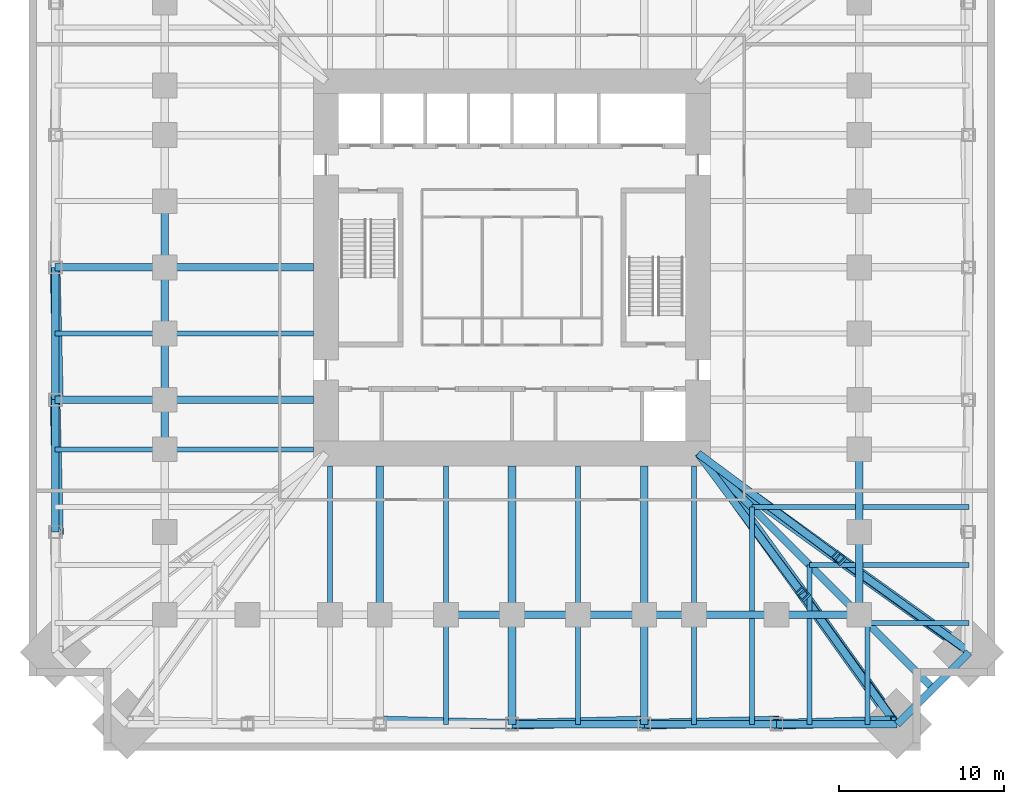
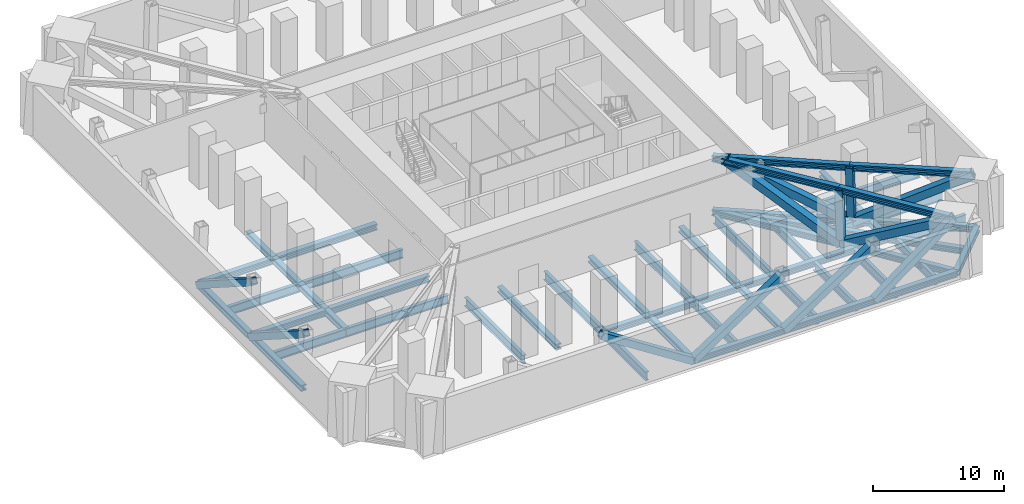
# One storey, part 2 of 9: 45 beams, 25 members.
"""IFC4 building model written with IfcOpenShell, lengths in metres."""

from ifc_helpers import new_model, si_unit, direction, frame, origin, origin_2d, place, context, subcontext, project, spatial, hollow_rectangle, i_section, extrude, material, material_profile, profile_set, type_object, element, save


model = new_model("IFC4")

# Units and contexts
model_context = context("Model", 3, precision=1e-05, world=origin(), true_north=direction((0.0, 1.0)))
body_context = subcontext(model_context, "Body", "Model", "MODEL_VIEW")
ifc_project = project(units=[si_unit("LENGTHUNIT", "METRE"), si_unit("AREAUNIT", "SQUARE_METRE"), si_unit("VOLUMEUNIT", "CUBIC_METRE"), si_unit("PLANEANGLEUNIT", "RADIAN"), si_unit("MASSUNIT", "GRAM", prefix="KILO")], contexts=[model_context])

# Site, building, storey
site_placement = place(None, origin())
site = spatial("IfcSite", under=ifc_project, at=site_placement, CompositionType="ELEMENT")
building_placement = place(site_placement, origin())
building = spatial("IfcBuilding", under=site, at=building_placement, Name="Peilmerk Tower", CompositionType="ELEMENT")
storey_placement = place(building_placement, frame((0.0, 0.0, 81.0)))
storey = spatial("IfcBuildingStorey", under=building, at=storey_placement, Name="L15", CompositionType="ELEMENT", Elevation=81.0)

# Beams
ifc_material = material(Name="Steel S460", Category="steel")
ifc_material_profile_1 = material_profile(ifc_material, i_section(OverallWidth=0.4541015625, OverallDepth=0.569091796875, WebThickness=0.077880859375, FlangeThickness=0.125, at=origin_2d()), Name="HD 400x1086")
ifc_profile_set_1 = profile_set([ifc_material_profile_1], Name="Steel S460")
beam_type_1 = type_object("IfcBeamType", Name="B17 HD 400x1086 edge beam", PredefinedType="SPANDREL", material=ifc_profile_set_1)
beam_1_placement = place(storey_placement, frame((27.630615234375, -23.28076171875, -0.534423828125), z_axis=(-0.707106781187, -0.707106781187, 0.0), x_axis=(0.707106781187, -0.707106781187, 0.0)))
element("IfcBeam", 1, at=beam_1_placement, inside=storey, type_object=beam_type_1, Name="Notch beam L15", PredefinedType="SPANDREL", context=body_context, shape_type="SweptSolid", body=[
    extrude(i_section(OverallWidth=0.4541015625, OverallDepth=0.569091796875, WebThickness=0.077880859375, FlangeThickness=0.125, at=origin_2d()), origin(), (0.0, 0.0, 1.0), 6.151611328125),
])
ifc_material_profile_2 = material_profile(ifc_material, i_section(OverallWidth=0.302978515625, OverallDepth=0.81396484375, WebThickness=0.02099609375, FlangeThickness=0.0400390625, at=origin_2d()), Name="HEM 800")
ifc_profile_set_2 = profile_set([ifc_material_profile_2], Name="Steel S460")
beam_type_2 = type_object("IfcBeamType", Name="B26 HEM 800 floor beam", PredefinedType="BEAM", material=ifc_profile_set_2)
for number, where, z_axis, x_axis, name in (
    (2, (-11.0, -12.0, -0.656982421875), (0.0, -1.0, 0.0), (1.0, 0.0, 0.0), "Floor beam L15"),
    (3, (-4.0, -12.0, -0.656982421875), (0.0, -1.0, 0.0), (1.0, 0.0, 0.0), "Floor beam L15"),
):
    element("IfcBeam", number, at=place(storey_placement, frame(where, z_axis=z_axis, x_axis=x_axis)), inside=storey, type_object=beam_type_2, Name=name, PredefinedType="BEAM", context=body_context, shape_type="SweptSolid", body=[
        extrude(i_section(OverallWidth=0.302978515625, OverallDepth=0.81396484375, WebThickness=0.02099609375, FlangeThickness=0.0400390625, at=origin_2d()), origin(), (0.0, 0.0, 1.0), 9.0),
    ])
beam_2_placement = place(storey_placement, frame((-4.0, -21.0, -0.656982421875), z_axis=(0.0, -1.0, 0.0), x_axis=(1.0, 0.0, 0.0)))
element("IfcBeam", 4, at=beam_2_placement, inside=storey, type_object=beam_type_2, Name="Floor beam L15", PredefinedType="BEAM", context=body_context, shape_type="SweptSolid", body=[
    extrude(i_section(OverallWidth=0.302978515625, OverallDepth=0.81396484375, WebThickness=0.02099609375, FlangeThickness=0.0400390625, at=origin_2d()), origin(), (0.0, 0.0, 1.0), 6.630615234375),
])
beam_3_placement = place(storey_placement, frame((4.0, -12.0, -0.656982421875), z_axis=(0.0, -1.0, 0.0), x_axis=(1.0, 0.0, 0.0)))
element("IfcBeam", 5, at=beam_3_placement, inside=storey, type_object=beam_type_2, Name="Floor beam L15", PredefinedType="BEAM", context=body_context, shape_type="SweptSolid", body=[
    extrude(i_section(OverallWidth=0.302978515625, OverallDepth=0.81396484375, WebThickness=0.02099609375, FlangeThickness=0.0400390625, at=origin_2d()), origin(), (0.0, 0.0, 1.0), 9.0),
])
beam_4_placement = place(storey_placement, frame((4.0, -21.0, -0.656982421875), z_axis=(0.0, -1.0, 0.0), x_axis=(1.0, 0.0, 0.0)))
element("IfcBeam", 6, at=beam_4_placement, inside=storey, type_object=beam_type_2, Name="Floor beam L15", PredefinedType="BEAM", context=body_context, shape_type="SweptSolid", body=[
    extrude(i_section(OverallWidth=0.302978515625, OverallDepth=0.81396484375, WebThickness=0.02099609375, FlangeThickness=0.0400390625, at=origin_2d()), origin(), (0.0, 0.0, 1.0), 6.630615234375),
])
beam_5_placement = place(storey_placement, frame((11.0, -12.0, -0.656982421875), z_axis=(0.0, -1.0, 0.0), x_axis=(1.0, 0.0, 0.0)))
element("IfcBeam", 7, at=beam_5_placement, inside=storey, type_object=beam_type_2, Name="Floor beam L15", PredefinedType="BEAM", context=body_context, shape_type="SweptSolid", body=[
    extrude(i_section(OverallWidth=0.302978515625, OverallDepth=0.81396484375, WebThickness=0.02099609375, FlangeThickness=0.0400390625, at=origin_2d()), origin(), (0.0, 0.0, 1.0), 9.0),
])
beam_6_placement = place(storey_placement, frame((11.0, -21.0, -0.656982421875), z_axis=(0.0, -1.0, 0.0), x_axis=(1.0, 0.0, 0.0)))
element("IfcBeam", 8, at=beam_6_placement, inside=storey, type_object=beam_type_2, Name="Floor beam L15", PredefinedType="BEAM", context=body_context, shape_type="SweptSolid", body=[
    extrude(i_section(OverallWidth=0.302978515625, OverallDepth=0.81396484375, WebThickness=0.02099609375, FlangeThickness=0.0400390625, at=origin_2d()), origin(), (0.0, 0.0, 1.0), 6.630615234375),
])
beam_7_placement = place(storey_placement, frame((-12.0, -4.0, -0.656982421875), z_axis=(-1.0, 0.0, 0.0), x_axis=(0.0, -1.0, 0.0)))
element("IfcBeam", 9, at=beam_7_placement, inside=storey, type_object=beam_type_2, Name="Floor beam L15", PredefinedType="BEAM", context=body_context, shape_type="SweptSolid", body=[
    extrude(i_section(OverallWidth=0.302978515625, OverallDepth=0.81396484375, WebThickness=0.02099609375, FlangeThickness=0.0400390625, at=origin_2d()), origin(), (0.0, 0.0, 1.0), 9.0),
])
beam_8_placement = place(storey_placement, frame((-21.0, -4.0, -0.656982421875), z_axis=(-1.0, 0.0, 0.0), x_axis=(0.0, -1.0, 0.0)))
element("IfcBeam", 10, at=beam_8_placement, inside=storey, type_object=beam_type_2, Name="Floor beam L15", PredefinedType="BEAM", context=body_context, shape_type="SweptSolid", body=[
    extrude(i_section(OverallWidth=0.302978515625, OverallDepth=0.81396484375, WebThickness=0.02099609375, FlangeThickness=0.0400390625, at=origin_2d()), origin(), (0.0, 0.0, 1.0), 6.630615234375),
])
beam_9_placement = place(storey_placement, frame((-12.0, -11.0, -0.656982421875), z_axis=(-1.0, 0.0, 0.0), x_axis=(0.0, -1.0, 0.0)))
element("IfcBeam", 11, at=beam_9_placement, inside=storey, type_object=beam_type_2, Name="Floor beam L15", PredefinedType="BEAM", context=body_context, shape_type="SweptSolid", body=[
    extrude(i_section(OverallWidth=0.302978515625, OverallDepth=0.81396484375, WebThickness=0.02099609375, FlangeThickness=0.0400390625, at=origin_2d()), origin(), (0.0, 0.0, 1.0), 9.0),
])
beam_10_placement = place(storey_placement, frame((-21.0, -11.0, -0.656982421875), z_axis=(-1.0, 0.0, 0.0), x_axis=(0.0, -1.0, 0.0)))
element("IfcBeam", 12, at=beam_10_placement, inside=storey, type_object=beam_type_2, Name="Floor beam L15", PredefinedType="BEAM", context=body_context, shape_type="SweptSolid", body=[
    extrude(i_section(OverallWidth=0.302978515625, OverallDepth=0.81396484375, WebThickness=0.02099609375, FlangeThickness=0.0400390625, at=origin_2d()), origin(), (0.0, 0.0, 1.0), 6.630615234375),
])
beam_11_placement = place(storey_placement, frame((14.5, -14.5, -0.656982421875), z_axis=(0.0, -1.0, 0.0), x_axis=(1.0, 0.0, 0.0)))
element("IfcBeam", 13, at=beam_11_placement, inside=storey, type_object=beam_type_2, Name="Floor beam L15", PredefinedType="BEAM", context=body_context, shape_type="SweptSolid", body=[
    extrude(i_section(OverallWidth=0.302978515625, OverallDepth=0.81396484375, WebThickness=0.02099609375, FlangeThickness=0.0400390625, at=origin_2d()), origin(), (0.0, 0.0, 1.0), 6.27294921875),
])
beam_12_placement = place(storey_placement, frame((14.5, -21.22705078125, -0.656982421875), z_axis=(0.0, -1.0, 0.0), x_axis=(1.0, 0.0, 0.0)))
element("IfcBeam", 14, at=beam_12_placement, inside=storey, type_object=beam_type_2, Name="Floor beam L15", PredefinedType="BEAM", context=body_context, shape_type="SweptSolid", body=[
    extrude(i_section(OverallWidth=0.302978515625, OverallDepth=0.81396484375, WebThickness=0.02099609375, FlangeThickness=0.0400390625, at=origin_2d()), origin(), (0.0, 0.0, 1.0), 6.403564453125),
])
beam_13_placement = place(storey_placement, frame((14.5, -14.5, -0.656982421875), z_axis=(1.0, 0.0, 0.0), x_axis=(0.0, 1.0, 0.0)))
element("IfcBeam", 15, at=beam_13_placement, inside=storey, type_object=beam_type_2, Name="Floor beam L15", PredefinedType="BEAM", context=body_context, shape_type="SweptSolid", body=[
    extrude(i_section(OverallWidth=0.302978515625, OverallDepth=0.81396484375, WebThickness=0.02099609375, FlangeThickness=0.0400390625, at=origin_2d()), origin(), (0.0, 0.0, 1.0), 6.27294921875),
])
beam_14_placement = place(storey_placement, frame((21.22705078125, -14.5, -0.656982421875), z_axis=(1.0, 0.0, 0.0), x_axis=(0.0, 1.0, 0.0)))
element("IfcBeam", 16, at=beam_14_placement, inside=storey, type_object=beam_type_2, Name="Floor beam L15", PredefinedType="BEAM", context=body_context, shape_type="SweptSolid", body=[
    extrude(i_section(OverallWidth=0.302978515625, OverallDepth=0.81396484375, WebThickness=0.02099609375, FlangeThickness=0.0400390625, at=origin_2d()), origin(), (0.0, 0.0, 1.0), 6.403564453125),
])
beam_15_placement = place(storey_placement, frame((18.0, -18.0, -0.656982421875), z_axis=(0.0, -1.0, 0.0), x_axis=(1.0, 0.0, 0.0)))
element("IfcBeam", 17, at=beam_15_placement, inside=storey, type_object=beam_type_2, Name="Floor beam L15", PredefinedType="BEAM", context=body_context, shape_type="SweptSolid", body=[
    extrude(i_section(OverallWidth=0.302978515625, OverallDepth=0.81396484375, WebThickness=0.02099609375, FlangeThickness=0.0400390625, at=origin_2d()), origin(), (0.0, 0.0, 1.0), 2.77294921875),
])
beam_16_placement = place(storey_placement, frame((18.0, -21.22705078125, -0.656982421875), z_axis=(0.0, -1.0, 0.0), x_axis=(1.0, 0.0, 0.0)))
element("IfcBeam", 18, at=beam_16_placement, inside=storey, type_object=beam_type_2, Name="Floor beam L15", PredefinedType="BEAM", context=body_context, shape_type="SweptSolid", body=[
    extrude(i_section(OverallWidth=0.302978515625, OverallDepth=0.81396484375, WebThickness=0.02099609375, FlangeThickness=0.0400390625, at=origin_2d()), origin(), (0.0, 0.0, 1.0), 6.403564453125),
])
beam_17_placement = place(storey_placement, frame((18.0, -18.0, -0.656982421875), z_axis=(1.0, 0.0, 0.0), x_axis=(0.0, 1.0, 0.0)))
element("IfcBeam", 19, at=beam_17_placement, inside=storey, type_object=beam_type_2, Name="Floor beam L15", PredefinedType="BEAM", context=body_context, shape_type="SweptSolid", body=[
    extrude(i_section(OverallWidth=0.302978515625, OverallDepth=0.81396484375, WebThickness=0.02099609375, FlangeThickness=0.0400390625, at=origin_2d()), origin(), (0.0, 0.0, 1.0), 2.77294921875),
])
beam_18_placement = place(storey_placement, frame((21.22705078125, -18.0, -0.656982421875), z_axis=(1.0, 0.0, 0.0), x_axis=(0.0, 1.0, 0.0)))
element("IfcBeam", 20, at=beam_18_placement, inside=storey, type_object=beam_type_2, Name="Floor beam L15", PredefinedType="BEAM", context=body_context, shape_type="SweptSolid", body=[
    extrude(i_section(OverallWidth=0.302978515625, OverallDepth=0.81396484375, WebThickness=0.02099609375, FlangeThickness=0.0400390625, at=origin_2d()), origin(), (0.0, 0.0, 1.0), 6.403564453125),
])
for number, where, z_axis, x_axis, name in (
    (21, (21.5, -21.5, -0.656982421875), (0.0, -1.0, 0.0), (1.0, 0.0, 0.0), "Floor beam L15"),
    (22, (21.5, -21.5, -0.656982421875), (1.0, 0.0, 0.0), (0.0, 1.0, 0.0), "Floor beam L15"),
):
    element("IfcBeam", number, at=place(storey_placement, frame(where, z_axis=z_axis, x_axis=x_axis)), inside=storey, type_object=beam_type_2, Name=name, PredefinedType="BEAM", context=body_context, shape_type="SweptSolid", body=[
        extrude(i_section(OverallWidth=0.302978515625, OverallDepth=0.81396484375, WebThickness=0.02099609375, FlangeThickness=0.0400390625, at=origin_2d()), origin(), (0.0, 0.0, 1.0), 6.130615234375),
    ])
ifc_material_profile_3 = material_profile(ifc_material, i_section(OverallWidth=0.4541015625, OverallDepth=0.569091796875, WebThickness=0.077880859375, FlangeThickness=0.125, at=origin_2d()), Name="HD 400x1086")
ifc_profile_set_3 = profile_set([ifc_material_profile_3], Name="Steel S460")
beam_type_3 = type_object("IfcBeamType", Name="B9 HD 400x1086 corner girder", PredefinedType="BEAM", material=ifc_profile_set_3)
for number, where, z_axis, x_axis, name in (
    (23, (21.0, -21.0, -0.534423828125), (0.0, 1.0, 0.0), (-1.0, 0.0, 0.0), "Ring girder L15"),
    (24, (21.0, -16.0, -0.534423828125), (0.0, 1.0, 0.0), (-1.0, 0.0, 0.0), "Ring girder L15"),
):
    element("IfcBeam", number, at=place(storey_placement, frame(where, z_axis=z_axis, x_axis=x_axis)), inside=storey, type_object=beam_type_3, Name=name, PredefinedType="BEAM", context=body_context, shape_type="SweptSolid", body=[
        extrude(i_section(OverallWidth=0.4541015625, OverallDepth=0.569091796875, WebThickness=0.077880859375, FlangeThickness=0.125, at=origin_2d()), origin(), (0.0, 0.0, 1.0), 5.0),
    ])
for number, where, z_axis, x_axis, name in (
    (25, (-8.0, -12.0, -0.534423828125), (0.0, -1.0, 0.0), (1.0, 0.0, 0.0), "Floor girder L15"),
    (26, (0.0, -12.0, -0.534423828125), (0.0, -1.0, 0.0), (1.0, 0.0, 0.0), "Floor girder L15"),
):
    element("IfcBeam", number, at=place(storey_placement, frame(where, z_axis=z_axis, x_axis=x_axis)), inside=storey, type_object=beam_type_3, Name=name, PredefinedType="BEAM", context=body_context, shape_type="SweptSolid", body=[
        extrude(i_section(OverallWidth=0.4541015625, OverallDepth=0.569091796875, WebThickness=0.077880859375, FlangeThickness=0.125, at=origin_2d()), origin(), (0.0, 0.0, 1.0), 9.0),
    ])
beam_19_placement = place(storey_placement, frame((0.0, -21.0, -0.534423828125), z_axis=(0.0, -1.0, 0.0), x_axis=(1.0, 0.0, 0.0)))
element("IfcBeam", 27, at=beam_19_placement, inside=storey, type_object=beam_type_3, Name="Floor girder L15", PredefinedType="BEAM", context=body_context, shape_type="SweptSolid", body=[
    extrude(i_section(OverallWidth=0.4541015625, OverallDepth=0.569091796875, WebThickness=0.077880859375, FlangeThickness=0.125, at=origin_2d()), origin(), (0.0, 0.0, 1.0), 6.630615234375),
])
beam_20_placement = place(storey_placement, frame((8.0, -12.0, -0.534423828125), z_axis=(0.0, -1.0, 0.0), x_axis=(1.0, 0.0, 0.0)))
element("IfcBeam", 28, at=beam_20_placement, inside=storey, type_object=beam_type_3, Name="Floor girder L15", PredefinedType="BEAM", context=body_context, shape_type="SweptSolid", body=[
    extrude(i_section(OverallWidth=0.4541015625, OverallDepth=0.569091796875, WebThickness=0.077880859375, FlangeThickness=0.125, at=origin_2d()), origin(), (0.0, 0.0, 1.0), 9.0),
])
beam_21_placement = place(storey_placement, frame((8.0, -21.0, -0.534423828125), z_axis=(0.0, -1.0, 0.0), x_axis=(1.0, 0.0, 0.0)))
element("IfcBeam", 29, at=beam_21_placement, inside=storey, type_object=beam_type_3, Name="Floor girder L15", PredefinedType="BEAM", context=body_context, shape_type="SweptSolid", body=[
    extrude(i_section(OverallWidth=0.4541015625, OverallDepth=0.569091796875, WebThickness=0.077880859375, FlangeThickness=0.125, at=origin_2d()), origin(), (0.0, 0.0, 1.0), 6.630615234375),
])
for number, where, z_axis, x_axis, name in (
    (30, (-4.0, -21.0, -0.534423828125), (1.0, 0.0, 0.0), (0.0, 1.0, 0.0), "Ring girder L15"),
    (31, (0.0, -21.0, -0.534423828125), (1.0, 0.0, 0.0), (0.0, 1.0, 0.0), "Ring girder L15"),
    (32, (4.0, -21.0, -0.534423828125), (1.0, 0.0, 0.0), (0.0, 1.0, 0.0), "Ring girder L15"),
):
    element("IfcBeam", number, at=place(storey_placement, frame(where, z_axis=z_axis, x_axis=x_axis)), inside=storey, type_object=beam_type_3, Name=name, PredefinedType="BEAM", context=body_context, shape_type="SweptSolid", body=[
        extrude(i_section(OverallWidth=0.4541015625, OverallDepth=0.569091796875, WebThickness=0.077880859375, FlangeThickness=0.125, at=origin_2d()), origin(), (0.0, 0.0, 1.0), 4.0),
    ])
beam_22_placement = place(storey_placement, frame((8.0, -21.0, -0.534423828125), z_axis=(1.0, 0.0, 0.0), x_axis=(0.0, 1.0, 0.0)))
element("IfcBeam", 33, at=beam_22_placement, inside=storey, type_object=beam_type_3, Name="Ring girder L15", PredefinedType="BEAM", context=body_context, shape_type="SweptSolid", body=[
    extrude(i_section(OverallWidth=0.4541015625, OverallDepth=0.569091796875, WebThickness=0.077880859375, FlangeThickness=0.125, at=origin_2d()), origin(), (0.0, 0.0, 1.0), 3.0),
])
for number, where, z_axis, x_axis, name in (
    (34, (11.0, -21.0, -0.534423828125), (1.0, 0.0, 0.0), (0.0, 1.0, 0.0), "Ring girder L15"),
    (35, (16.0, -21.0, -0.534423828125), (1.0, 0.0, 0.0), (0.0, 1.0, 0.0), "Ring girder L15"),
):
    element("IfcBeam", number, at=place(storey_placement, frame(where, z_axis=z_axis, x_axis=x_axis)), inside=storey, type_object=beam_type_3, Name=name, PredefinedType="BEAM", context=body_context, shape_type="SweptSolid", body=[
        extrude(i_section(OverallWidth=0.4541015625, OverallDepth=0.569091796875, WebThickness=0.077880859375, FlangeThickness=0.125, at=origin_2d()), origin(), (0.0, 0.0, 1.0), 5.0),
    ])
beam_23_placement = place(storey_placement, frame((-12.0, 0.0, -0.534423828125), z_axis=(-1.0, 0.0, 0.0), x_axis=(0.0, -1.0, 0.0)))
element("IfcBeam", 36, at=beam_23_placement, inside=storey, type_object=beam_type_3, Name="Floor girder L15", PredefinedType="BEAM", context=body_context, shape_type="SweptSolid", body=[
    extrude(i_section(OverallWidth=0.4541015625, OverallDepth=0.569091796875, WebThickness=0.077880859375, FlangeThickness=0.125, at=origin_2d()), origin(), (0.0, 0.0, 1.0), 9.0),
])
beam_24_placement = place(storey_placement, frame((-21.0, 0.0, -0.534423828125), z_axis=(-1.0, 0.0, 0.0), x_axis=(0.0, -1.0, 0.0)))
element("IfcBeam", 37, at=beam_24_placement, inside=storey, type_object=beam_type_3, Name="Floor girder L15", PredefinedType="BEAM", context=body_context, shape_type="SweptSolid", body=[
    extrude(i_section(OverallWidth=0.4541015625, OverallDepth=0.569091796875, WebThickness=0.077880859375, FlangeThickness=0.125, at=origin_2d()), origin(), (0.0, 0.0, 1.0), 6.630615234375),
])
beam_25_placement = place(storey_placement, frame((-12.0, -8.0, -0.534423828125), z_axis=(-1.0, 0.0, 0.0), x_axis=(0.0, -1.0, 0.0)))
element("IfcBeam", 38, at=beam_25_placement, inside=storey, type_object=beam_type_3, Name="Floor girder L15", PredefinedType="BEAM", context=body_context, shape_type="SweptSolid", body=[
    extrude(i_section(OverallWidth=0.4541015625, OverallDepth=0.569091796875, WebThickness=0.077880859375, FlangeThickness=0.125, at=origin_2d()), origin(), (0.0, 0.0, 1.0), 9.0),
])
beam_26_placement = place(storey_placement, frame((-21.0, -8.0, -0.534423828125), z_axis=(-1.0, 0.0, 0.0), x_axis=(0.0, -1.0, 0.0)))
element("IfcBeam", 39, at=beam_26_placement, inside=storey, type_object=beam_type_3, Name="Floor girder L15", PredefinedType="BEAM", context=body_context, shape_type="SweptSolid", body=[
    extrude(i_section(OverallWidth=0.4541015625, OverallDepth=0.569091796875, WebThickness=0.077880859375, FlangeThickness=0.125, at=origin_2d()), origin(), (0.0, 0.0, 1.0), 6.630615234375),
])
for number, where, z_axis, x_axis, name in (
    (40, (-21.0, 4.0, -0.534423828125), (0.0, -1.0, 0.0), (1.0, 0.0, 0.0), "Ring girder L15"),
    (41, (-21.0, 0.0, -0.534423828125), (0.0, -1.0, 0.0), (1.0, 0.0, 0.0), "Ring girder L15"),
    (42, (-21.0, -4.0, -0.534423828125), (0.0, -1.0, 0.0), (1.0, 0.0, 0.0), "Ring girder L15"),
):
    element("IfcBeam", number, at=place(storey_placement, frame(where, z_axis=z_axis, x_axis=x_axis)), inside=storey, type_object=beam_type_3, Name=name, PredefinedType="BEAM", context=body_context, shape_type="SweptSolid", body=[
        extrude(i_section(OverallWidth=0.4541015625, OverallDepth=0.569091796875, WebThickness=0.077880859375, FlangeThickness=0.125, at=origin_2d()), origin(), (0.0, 0.0, 1.0), 4.0),
    ])
beam_27_placement = place(storey_placement, frame((-21.0, -8.0, -0.534423828125), z_axis=(0.0, -1.0, 0.0), x_axis=(1.0, 0.0, 0.0)))
element("IfcBeam", 43, at=beam_27_placement, inside=storey, type_object=beam_type_3, Name="Ring girder L15", PredefinedType="BEAM", context=body_context, shape_type="SweptSolid", body=[
    extrude(i_section(OverallWidth=0.4541015625, OverallDepth=0.569091796875, WebThickness=0.077880859375, FlangeThickness=0.125, at=origin_2d()), origin(), (0.0, 0.0, 1.0), 3.0),
])
beam_28_placement = place(storey_placement, frame((11.25, -11.25, -0.534423828125), z_axis=(0.707106781187, -0.707106781187, 0.0), x_axis=(0.707106781187, 0.707106781187, 0.0)))
element("IfcBeam", 44, at=beam_28_placement, inside=storey, type_object=beam_type_3, Name="Corner girder L15", PredefinedType="BEAM", context=body_context, shape_type="SweptSolid", body=[
    extrude(i_section(OverallWidth=0.4541015625, OverallDepth=0.569091796875, WebThickness=0.077880859375, FlangeThickness=0.125, at=origin_2d()), origin(), (0.0, 0.0, 1.0), 13.78857421875),
])
beam_29_placement = place(storey_placement, frame((21.0, -21.0, -0.534423828125), z_axis=(0.707106781187, -0.707106781187, 0.0), x_axis=(0.707106781187, 0.707106781187, 0.0)))
element("IfcBeam", 45, at=beam_29_placement, inside=storey, type_object=beam_type_3, Name="Corner girder L15", PredefinedType="BEAM", context=body_context, shape_type="SweptSolid", body=[
    extrude(i_section(OverallWidth=0.4541015625, OverallDepth=0.569091796875, WebThickness=0.077880859375, FlangeThickness=0.125, at=origin_2d()), origin(), (0.0, 0.0, 1.0), 6.301025390625),
])

# Members
ifc_material_profile_4 = material_profile(ifc_material, i_section(OverallWidth=0.4541015625, OverallDepth=0.569091796875, WebThickness=0.077880859375, FlangeThickness=0.125, at=origin_2d()), Name="HD 400x1086")
ifc_profile_set_4 = profile_set([ifc_material_profile_4], Name="Steel S460")
member_type_1 = type_object("IfcMemberType", Name="M1 HD 400x1086 belt truss chord", PredefinedType="CHORD", material=ifc_profile_set_4)
for number, where, z_axis, x_axis, name in (
    (46, (0.0, -27.630615234375, -0.534423828125), (1.0, 0.0, 0.0), (0.0, 1.0, 0.0), "Belt truss chord L15"),
    (47, (8.0, -27.630615234375, -0.534423828125), (1.0, 0.0, 0.0), (0.0, 1.0, 0.0), "Belt truss chord L15"),
):
    element("IfcMember", number, at=place(storey_placement, frame(where, z_axis=z_axis, x_axis=x_axis)), inside=storey, type_object=member_type_1, Name=name, PredefinedType="CHORD", context=body_context, shape_type="SweptSolid", body=[
        extrude(i_section(OverallWidth=0.4541015625, OverallDepth=0.569091796875, WebThickness=0.077880859375, FlangeThickness=0.125, at=origin_2d()), origin(), (0.0, 0.0, 1.0), 8.0),
    ])
member_1_placement = place(storey_placement, frame((16.0, -27.630615234375, -0.534423828125), z_axis=(1.0, 0.0, 0.0), x_axis=(0.0, 1.0, 0.0)))
element("IfcMember", 48, at=member_1_placement, inside=storey, type_object=member_type_1, Name="Belt truss chord L15", PredefinedType="CHORD", context=body_context, shape_type="SweptSolid", body=[
    extrude(i_section(OverallWidth=0.4541015625, OverallDepth=0.569091796875, WebThickness=0.077880859375, FlangeThickness=0.125, at=origin_2d()), origin(), (0.0, 0.0, 1.0), 7.28076171875),
])
for number, where, z_axis, x_axis, name in (
    (49, (-27.630615234375, 0.0, -0.534423828125), (0.0, -1.0, 0.0), (1.0, 0.0, 0.0), "Belt truss chord L15"),
    (50, (-27.630615234375, -8.0, -0.534423828125), (0.0, -1.0, 0.0), (1.0, 0.0, 0.0), "Belt truss chord L15"),
):
    element("IfcMember", number, at=place(storey_placement, frame(where, z_axis=z_axis, x_axis=x_axis)), inside=storey, type_object=member_type_1, Name=name, PredefinedType="CHORD", context=body_context, shape_type="SweptSolid", body=[
        extrude(i_section(OverallWidth=0.4541015625, OverallDepth=0.569091796875, WebThickness=0.077880859375, FlangeThickness=0.125, at=origin_2d()), origin(), (0.0, 0.0, 1.0), 8.0),
    ])
member_2_placement = place(storey_placement, frame((11.25, -11.25, -0.534423828125), z_axis=(0.801510739962, -0.597980379047, 0.0), x_axis=(0.597980379047, 0.801510739962, 0.0)))
element("IfcMember", 51, at=member_2_placement, inside=storey, type_object=member_type_1, Name="Outrigger chord T1 SE", PredefinedType="CHORD", context=body_context, shape_type="SweptSolid", body=[
    extrude(i_section(OverallWidth=0.4541015625, OverallDepth=0.569091796875, WebThickness=0.077880859375, FlangeThickness=0.125, at=origin_2d()), origin(), (0.0, 0.0, 1.0), 10.6865234375),
])
member_3_placement = place(storey_placement, frame((19.8154296875, -17.640380859375, -0.534423828125), z_axis=(0.810872224403, -0.585223235775, 0.0), x_axis=(0.585223235775, 0.810872224403, 0.0)))
element("IfcMember", 52, at=member_3_placement, inside=storey, type_object=member_type_1, Name="Outrigger chord T1 SE", PredefinedType="CHORD", context=body_context, shape_type="SweptSolid", body=[
    extrude(i_section(OverallWidth=0.4541015625, OverallDepth=0.569091796875, WebThickness=0.077880859375, FlangeThickness=0.125, at=origin_2d()), origin(), (0.0, 0.0, 1.0), 9.637939453125),
])
member_4_placement = place(storey_placement, frame((11.25, -11.25, 4.515380859375), z_axis=(0.802672915293, -0.596419475751, 0.0), x_axis=(0.596419475751, 0.802672915293, 0.0)))
element("IfcMember", 53, at=member_4_placement, inside=storey, type_object=member_type_1, Name="Outrigger chord T1 SE", PredefinedType="CHORD", context=body_context, shape_type="SweptSolid", body=[
    extrude(i_section(OverallWidth=0.4541015625, OverallDepth=0.569091796875, WebThickness=0.077880859375, FlangeThickness=0.125, at=origin_2d()), origin(), (0.0, 0.0, 1.0), 10.54541015625),
])
member_5_placement = place(storey_placement, frame((19.714599609375, -17.53955078125, 4.515380859375), z_axis=(0.812271893722, -0.583278981852, 0.0), x_axis=(0.583278981852, 0.812271893722, 0.0)))
element("IfcMember", 54, at=member_5_placement, inside=storey, type_object=member_type_1, Name="Outrigger chord T1 SE", PredefinedType="CHORD", context=body_context, shape_type="SweptSolid", body=[
    extrude(i_section(OverallWidth=0.4541015625, OverallDepth=0.569091796875, WebThickness=0.077880859375, FlangeThickness=0.125, at=origin_2d()), origin(), (0.0, 0.0, 1.0), 9.497314453125),
])
member_6_placement = place(storey_placement, frame((11.25, -11.25, -0.534423828125), z_axis=(0.597980379047, -0.801510739962, 0.0), x_axis=(0.801510739962, 0.597980379047, 0.0)))
element("IfcMember", 55, at=member_6_placement, inside=storey, type_object=member_type_1, Name="Outrigger chord T1 SE", PredefinedType="CHORD", context=body_context, shape_type="SweptSolid", body=[
    extrude(i_section(OverallWidth=0.4541015625, OverallDepth=0.569091796875, WebThickness=0.077880859375, FlangeThickness=0.125, at=origin_2d()), origin(), (0.0, 0.0, 1.0), 10.6865234375),
])
member_7_placement = place(storey_placement, frame((17.640380859375, -19.8154296875, -0.534423828125), z_axis=(0.585223235775, -0.810872224403, 0.0), x_axis=(0.810872224403, 0.585223235775, 0.0)))
element("IfcMember", 56, at=member_7_placement, inside=storey, type_object=member_type_1, Name="Outrigger chord T1 SE", PredefinedType="CHORD", context=body_context, shape_type="SweptSolid", body=[
    extrude(i_section(OverallWidth=0.4541015625, OverallDepth=0.569091796875, WebThickness=0.077880859375, FlangeThickness=0.125, at=origin_2d()), origin(), (0.0, 0.0, 1.0), 9.637939453125),
])
member_8_placement = place(storey_placement, frame((11.25, -11.25, 4.515380859375), z_axis=(0.596419475751, -0.802672915293, 0.0), x_axis=(0.802672915293, 0.596419475751, 0.0)))
element("IfcMember", 57, at=member_8_placement, inside=storey, type_object=member_type_1, Name="Outrigger chord T1 SE", PredefinedType="CHORD", context=body_context, shape_type="SweptSolid", body=[
    extrude(i_section(OverallWidth=0.4541015625, OverallDepth=0.569091796875, WebThickness=0.077880859375, FlangeThickness=0.125, at=origin_2d()), origin(), (0.0, 0.0, 1.0), 10.54541015625),
])
member_9_placement = place(storey_placement, frame((17.53955078125, -19.714599609375, 4.515380859375), z_axis=(0.583278981852, -0.812271893722, 0.0), x_axis=(0.812271893722, 0.583278981852, 0.0)))
element("IfcMember", 58, at=member_9_placement, inside=storey, type_object=member_type_1, Name="Outrigger chord T1 SE", PredefinedType="CHORD", context=body_context, shape_type="SweptSolid", body=[
    extrude(i_section(OverallWidth=0.4541015625, OverallDepth=0.569091796875, WebThickness=0.077880859375, FlangeThickness=0.125, at=origin_2d()), origin(), (0.0, 0.0, 1.0), 9.497314453125),
])
ifc_material_profile_5 = material_profile(ifc_material, hollow_rectangle(XDim=0.60009765625, YDim=0.60009765625, WallThickness=0.06005859375, at=origin_2d()), Name="BOX 600x600x60")
ifc_profile_set_5 = profile_set([ifc_material_profile_5], Name="Steel S460")
member_type_2 = type_object("IfcMemberType", Name="M2 BOX 600x600x60 belt truss diagonal", PredefinedType="BRACE", material=ifc_profile_set_5)
for number, where, z_axis, x_axis, name in (
    (59, (0.0, -27.630615234375, -0.534423828125), (-0.845431734913, 0.02131123697, 0.533658142241), (-0.025199514677, -0.999682441808, 0.0), "Belt truss diagonal T1 S"),
    (60, (0.0, -27.630615234375, -0.534423828125), (0.845431734913, 0.02131123697, 0.533658142241), (-0.025199514677, 0.999682441808, 0.0), "Belt truss diagonal T1 S"),
    (61, (8.0, -27.630615234375, -0.534423828125), (0.845431734913, 0.02131123697, 0.533658142241), (-0.025199514677, 0.999682441808, 0.0), "Belt truss diagonal T1 S"),
):
    element("IfcMember", number, at=place(storey_placement, frame(where, z_axis=z_axis, x_axis=x_axis)), inside=storey, type_object=member_type_2, Name=name, PredefinedType="BRACE", context=body_context, shape_type="SweptSolid", body=[
        extrude(hollow_rectangle(XDim=0.60009765625, YDim=0.60009765625, WallThickness=0.06005859375, at=origin_2d()), origin(), (0.0, 0.0, 1.0), 9.462646484375),
    ])
member_10_placement = place(storey_placement, frame((16.0, -27.630615234375, -0.534423828125), z_axis=(0.813878712609, 0.023184708809, 0.580572054477), x_axis=(-0.028475136498, 0.999594501086, 0.0)))
element("IfcMember", 62, at=member_10_placement, inside=storey, type_object=member_type_2, Name="Belt truss diagonal T1 S", PredefinedType="BRACE", context=body_context, shape_type="SweptSolid", body=[
    extrude(hollow_rectangle(XDim=0.60009765625, YDim=0.60009765625, WallThickness=0.06005859375, at=origin_2d()), origin(), (0.0, 0.0, 1.0), 8.697998046875),
])
for number, where, z_axis, x_axis, name in (
    (63, (-27.630615234375, 0.0, -0.534423828125), (0.02131123697, -0.845431734913, 0.533658142241), (0.999682441808, 0.025199514677, 0.0), "Belt truss diagonal T1 W"),
    (64, (-27.630615234375, -8.0, -0.534423828125), (0.02131123697, -0.845431734913, 0.533658142241), (0.999682441808, 0.025199514677, 0.0), "Belt truss diagonal T1 W"),
):
    element("IfcMember", number, at=place(storey_placement, frame(where, z_axis=z_axis, x_axis=x_axis)), inside=storey, type_object=member_type_2, Name=name, PredefinedType="BRACE", context=body_context, shape_type="SweptSolid", body=[
        extrude(hollow_rectangle(XDim=0.60009765625, YDim=0.60009765625, WallThickness=0.06005859375, at=origin_2d()), origin(), (0.0, 0.0, 1.0), 9.462646484375),
    ])
ifc_material_profile_6 = material_profile(ifc_material, hollow_rectangle(XDim=0.60009765625, YDim=0.60009765625, WallThickness=0.06005859375, at=origin_2d()), Name="BOX 600x600x60")
ifc_profile_set_6 = profile_set([ifc_material_profile_6], Name="Steel S460")
member_type_3 = type_object("IfcMemberType", Name="M3 BOX 600x600x60 outrigger post", PredefinedType="POST", material=ifc_profile_set_6)
for number, where, z_axis, x_axis, name in (
    (65, (19.8154296875, -17.640380859375, -0.534423828125), (-0.019959168491, 0.019959168491, 0.999601552213), (-0.707106781187, -0.707106781187, 0.0), "Outrigger post T1 SE"),
    (66, (17.640380859375, -19.8154296875, -0.534423828125), (-0.019959168491, 0.019959168491, 0.999601552213), (-0.707106781187, -0.707106781187, 0.0), "Outrigger post T1 SE"),
):
    element("IfcMember", number, at=place(storey_placement, frame(where, z_axis=z_axis, x_axis=x_axis)), inside=storey, type_object=member_type_3, Name=name, PredefinedType="POST", context=body_context, shape_type="SweptSolid", body=[
        extrude(hollow_rectangle(XDim=0.60009765625, YDim=0.60009765625, WallThickness=0.06005859375, at=origin_2d()), origin(), (0.0, 0.0, 1.0), 5.0517578125),
    ])
ifc_material_profile_7 = material_profile(ifc_material, hollow_rectangle(XDim=0.699951171875, YDim=0.699951171875, WallThickness=0.080078125, at=origin_2d()), Name="BOX 700x700x80")
ifc_profile_set_7 = profile_set([ifc_material_profile_7], Name="Steel S460")
member_type_4 = type_object("IfcMemberType", Name="M4 BOX 700x700x80 outrigger diagonal", PredefinedType="BRACE", material=ifc_profile_set_7)
member_11_placement = place(storey_placement, frame((19.8154296875, -17.640380859375, -0.534423828125), z_axis=(-0.718266332677, 0.518371457073, 0.464095365022), x_axis=(-0.585211215329, -0.810880899672, 0.0)))
element("IfcMember", 67, at=member_11_placement, inside=storey, type_object=member_type_4, Name="Outrigger diagonal T1", PredefinedType="BRACE", context=body_context, shape_type="SweptSolid", body=[
    extrude(hollow_rectangle(XDim=0.699951171875, YDim=0.699951171875, WallThickness=0.080078125, at=origin_2d()), origin(), (0.0, 0.0, 1.0), 10.880859375),
])
member_12_placement = place(storey_placement, frame((19.8154296875, -17.640380859375, -0.534423828125), z_axis=(0.716074552909, -0.5115277478, 0.474949047695), x_axis=(0.581272748729, 0.813708787948, 0.0)))
element("IfcMember", 68, at=member_12_placement, inside=storey, type_object=member_type_4, Name="Outrigger diagonal T1", PredefinedType="BRACE", context=body_context, shape_type="SweptSolid", body=[
    extrude(hollow_rectangle(XDim=0.699951171875, YDim=0.699951171875, WallThickness=0.080078125, at=origin_2d()), origin(), (0.0, 0.0, 1.0), 10.63232421875),
])
member_13_placement = place(storey_placement, frame((17.640380859375, -19.8154296875, -0.534423828125), z_axis=(-0.518371457073, 0.718266332677, 0.464095365022), x_axis=(-0.810880899672, -0.585211215329, 0.0)))
element("IfcMember", 69, at=member_13_placement, inside=storey, type_object=member_type_4, Name="Outrigger diagonal T1", PredefinedType="BRACE", context=body_context, shape_type="SweptSolid", body=[
    extrude(hollow_rectangle(XDim=0.699951171875, YDim=0.699951171875, WallThickness=0.080078125, at=origin_2d()), origin(), (0.0, 0.0, 1.0), 10.880859375),
])
member_14_placement = place(storey_placement, frame((17.640380859375, -19.8154296875, -0.534423828125), z_axis=(0.5115277478, -0.716074552909, 0.474949047695), x_axis=(0.813708787948, 0.581272748729, 0.0)))
element("IfcMember", 70, at=member_14_placement, inside=storey, type_object=member_type_4, Name="Outrigger diagonal T1", PredefinedType="BRACE", context=body_context, shape_type="SweptSolid", body=[
    extrude(hollow_rectangle(XDim=0.699951171875, YDim=0.699951171875, WallThickness=0.080078125, at=origin_2d()), origin(), (0.0, 0.0, 1.0), 10.63232421875),
])

save(model, "model.ifc")
